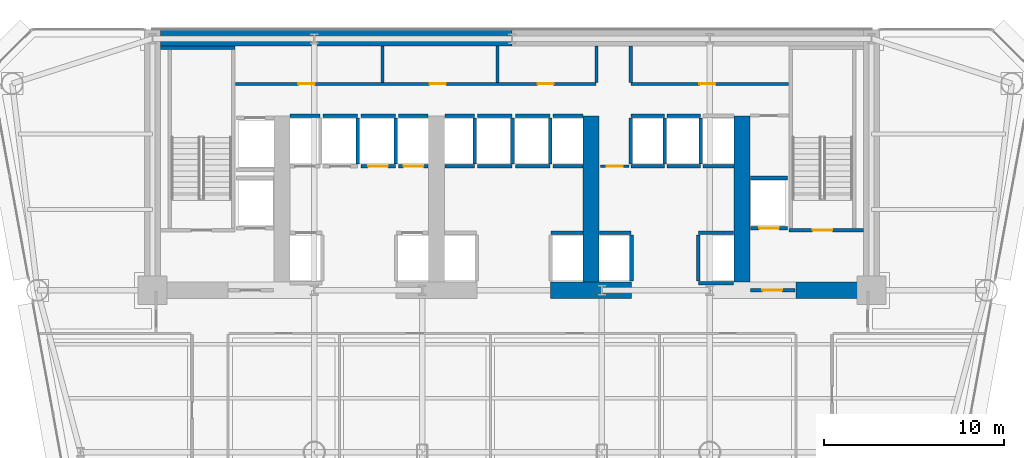
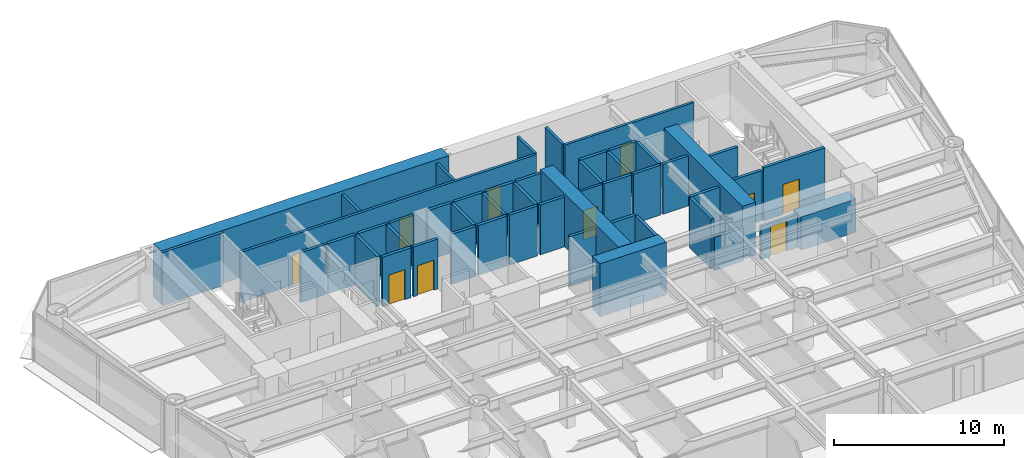
# One storey, part 9 of 14: 50 walls, 10 doors, 10 openings.
"""IFC4 building model written with IfcOpenShell, lengths in metres."""

from ifc_helpers import new_model, si_unit, direction, frame, frame_2d, origin, place, context, subcontext, project, spatial, rectangle, extrude, source, transform, mapped, material, layer, layer_set, type_object, element, fill, save


model = new_model("IFC4")

# Units and contexts
model_context = context("Model", 3, precision=1e-05, world=origin(), true_north=direction((0.0, 1.0)))
body_context = subcontext(model_context, "Body", "Model", "MODEL_VIEW")
ifc_project = project(units=[si_unit("LENGTHUNIT", "METRE"), si_unit("AREAUNIT", "SQUARE_METRE"), si_unit("VOLUMEUNIT", "CUBIC_METRE"), si_unit("PLANEANGLEUNIT", "RADIAN"), si_unit("MASSUNIT", "GRAM", prefix="KILO")], contexts=[model_context])

# Site, building, storey
site_placement = place(None, origin())
site = spatial("IfcSite", under=ifc_project, at=site_placement, CompositionType="ELEMENT")
building_placement = place(site_placement, origin())
building = spatial("IfcBuilding", under=site, at=building_placement, Name="Vaeldorn Concourse Tower", CompositionType="ELEMENT")
storey_placement = place(building_placement, frame((0.0, 0.0, 56.800048828125)))
storey = spatial("IfcBuildingStorey", under=building, at=storey_placement, Name="L14", CompositionType="ELEMENT", Elevation=56.800048828125)

# Walls
ifc_material_1 = material(Name="Concrete C60/75", Category="concrete")
ifc_layer_1 = layer(ifc_material_1, 0.89990234375)
ifc_layer_set_1 = layer_set([ifc_layer_1], Name="Concrete C60/75")
wall_type_1 = type_object("IfcWallType", Name="WL-CORE-900", PredefinedType="SHEAR", material=ifc_layer_set_1)
wall_1_placement = place(storey_placement, frame((14.4541015625, 50.550048828125, 0.0), z_axis=(0.0, 0.0, 1.0), x_axis=(1.0, 0.0, 0.0)))
element("IfcWall", 1, at=wall_1_placement, inside=storey, type_object=wall_type_1, Name="Rear Core Shear Wall L14 N1", PredefinedType="SHEAR", context=body_context, shape_type="SweptSolid", body=[
    extrude(rectangle(XDim=19.5439453125, YDim=0.89990234375, at=frame_2d((9.77197265625, 0.0))), origin(), (0.0, 0.0, 1.0), 3.800048828125),
])
wall_2_placement = place(storey_placement, frame((36.14990234375, 36.5, 0.0), z_axis=(0.0, 0.0, 1.0), x_axis=(1.0, 0.0, 0.0)))
element("IfcWall", 2, at=wall_2_placement, inside=storey, type_object=wall_type_1, Name="Rear Core Shear Wall L14 S3", PredefinedType="SHEAR", context=body_context, shape_type="SweptSolid", body=[
    extrude(rectangle(XDim=4.5, YDim=0.89990234375, at=frame_2d((2.25, 0.0))), origin(), (0.0, 0.0, 1.0), 3.800048828125),
])
wall_3_placement = place(storey_placement, frame((49.800048828125, 36.5, 0.0), z_axis=(0.0, 0.0, 1.0), x_axis=(1.0, 0.0, 0.0)))
element("IfcWall", 3, at=wall_3_placement, inside=storey, type_object=wall_type_1, Name="Rear Core Shear Wall L14 S4", PredefinedType="SHEAR", context=body_context, shape_type="SweptSolid", body=[
    extrude(rectangle(XDim=3.72998046875, YDim=0.89990234375, at=frame_2d((1.864990234375, 0.0))), origin(), (0.0, 0.0, 1.0), 2.3798828125),
])
for number, where, z_axis, x_axis, name in (
    (4, (38.39990234375, 36.969970703125, 0.0), (0.0, 0.0, 1.0), (0.0, 1.0, 0.0), "Rear Core Shear Wall L14 M3"),
    (5, (46.800048828125, 36.969970703125, 0.0), (0.0, 0.0, 1.0), (0.0, 1.0, 0.0), "Rear Core Shear Wall L14 M4"),
):
    element("IfcWall", number, at=place(storey_placement, frame(where, z_axis=z_axis, x_axis=x_axis)), inside=storey, type_object=wall_type_1, Name=name, PredefinedType="SHEAR", context=body_context, shape_type="SweptSolid", body=[
        extrude(rectangle(XDim=9.22998046875, YDim=0.89990234375, at=frame_2d((4.614990234375, 0.0))), origin(), (0.0, 0.0, 1.0), 3.800048828125),
    ])

# Wall, opening, door
ifc_material_2 = material(Name="Gypsum Board Partition", Category="gypsum")
ifc_layer_2 = layer(ifc_material_2, 0.14990234375)
ifc_layer_set_2 = layer_set([ifc_layer_2], Name="Gypsum Board Partition")
wall_type_2 = type_object("IfcWallType", Name="WL-PART-150", PredefinedType="PARTITIONING", material=ifc_layer_set_2)
wall_4_placement = place(storey_placement, frame((38.919921875, 43.39990234375, 0.0), z_axis=(0.0, 0.0, 1.0), x_axis=(1.0, 0.0, 0.0)))
wall_4 = element("IfcWall", 6, at=wall_4_placement, inside=storey, type_object=wall_type_2, Name="Interior Wall CW-L14-CCLINK", PredefinedType="PARTITIONING", context=body_context, shape_type="SweptSolid", body=[
    extrude(rectangle(XDim=1.60009765625, YDim=0.14990234375, at=frame_2d((0.800048828125, 0.0))), origin(), (0.0, 0.0, 1.0), 3.579833984375),
])
opening_1_placement = place(wall_4_placement, frame((0.35009765625, 0.0, 0.0)))
opening_1 = element("IfcOpeningElement", 7, at=opening_1_placement, cuts=wall_4, Name="Opening D-02", PredefinedType="OPENING", context=body_context, shape_type="SweptSolid", body=[
    extrude(rectangle(XDim=0.89990234375, YDim=2.10009765625, at=frame_2d((0.449951171875, 1.050048828125))), frame((0.0, 0.0849609375, 0.0), z_axis=(0.0, -1.0, 0.0), x_axis=(1.0, 0.0, 0.0)), (0.0, 0.0, 1.0), 0.169921875),
])
ifc_material_3 = material(Name="Fire-Rated Timber Leaf", Category="wood")
door_type_1 = type_object("IfcDoorType", Name="DR-FD30-900", OperationType="NOTDEFINED", PredefinedType="DOOR", material=ifc_material_3)
shared_shape_1 = source(origin(), body_context, "Body", "SweptSolid", [
    extrude(rectangle(XDim=0.89990234375, YDim=2.10009765625, at=frame_2d((0.449951171875, 1.050048828125))), frame((0.0, 0.02490234375, 0.0), z_axis=(0.0, -1.0, 0.0), x_axis=(1.0, 0.0, 0.0)), (0.0, 0.0, 1.0), 0.050048828125),
])
door_1_placement = place(opening_1_placement, origin())
door_1 = element("IfcDoor", 8, at=door_1_placement, inside=storey, type_object=door_type_1, Name="Interior Door DR-L14-CCLINK", OperationType="SINGLE_SWING_LEFT", OverallHeight=2.10009765625, OverallWidth=0.89990234375, PredefinedType="DOOR", context=body_context, shape_type="MappedRepresentation", body=[
    mapped(shared_shape_1, transform((0.0, 0.0, 0.0), scale=1.0)),
])
fill(opening_1, door_1)

# Wall, openings, doors
ifc_layer_3 = layer(ifc_material_2, 0.179931640625)
ifc_layer_set_3 = layer_set([ifc_layer_3], Name="Gypsum Board Partition")
wall_type_3 = type_object("IfcWallType", Name="WL-PLUMB-180", PredefinedType="PLUMBINGWALL", material=ifc_layer_set_3)
wall_5_placement = place(storey_placement, frame((18.6201171875, 47.97998046875, 0.0), z_axis=(0.0, 0.0, 1.0), x_axis=(1.0, 0.0, 0.0)))
wall_5 = element("IfcWall", 9, at=wall_5_placement, inside=storey, type_object=wall_type_3, Name="Interior Wall CW-L14-NS1W", PredefinedType="PLUMBINGWALL", context=body_context, shape_type="SweptSolid", body=[
    extrude(rectangle(XDim=20.059814453125, YDim=0.179931640625, at=frame_2d((10.02978515625, 0.0))), origin(), (0.0, 0.0, 1.0), 3.579833984375),
])
opening_2_placement = place(wall_5_placement, frame((3.5, 0.0, 0.0)))
opening_2 = element("IfcOpeningElement", 10, at=opening_2_placement, cuts=wall_5, Name="Opening D-03", PredefinedType="OPENING", context=body_context, shape_type="SweptSolid", body=[
    extrude(rectangle(XDim=0.89990234375, YDim=2.14990234375, at=frame_2d((0.449951171875, 1.074951171875))), frame((0.0, 0.10009765625, 0.0), z_axis=(0.0, -1.0, 0.0), x_axis=(1.0, 0.0, 0.0)), (0.0, 0.0, 1.0), 0.199951171875),
])
opening_3_placement = place(wall_5_placement, frame((10.800048828125, 0.0, 0.0)))
opening_3 = element("IfcOpeningElement", 11, at=opening_3_placement, cuts=wall_5, Name="Opening D-03", PredefinedType="OPENING", context=body_context, shape_type="SweptSolid", body=[
    extrude(rectangle(XDim=0.89990234375, YDim=2.14990234375, at=frame_2d((0.449951171875, 1.074951171875))), frame((0.0, 0.10009765625, 0.0), z_axis=(0.0, -1.0, 0.0), x_axis=(1.0, 0.0, 0.0)), (0.0, 0.0, 1.0), 0.199951171875),
])
opening_4_placement = place(wall_5_placement, frame((16.800048828125, 0.0, 0.0)))
opening_4 = element("IfcOpeningElement", 12, at=opening_4_placement, cuts=wall_5, Name="Opening D-03", PredefinedType="OPENING", context=body_context, shape_type="SweptSolid", body=[
    extrude(rectangle(XDim=0.89990234375, YDim=2.14990234375, at=frame_2d((0.449951171875, 1.074951171875))), frame((0.0, 0.10009765625, 0.0), z_axis=(0.0, -1.0, 0.0), x_axis=(1.0, 0.0, 0.0)), (0.0, 0.0, 1.0), 0.199951171875),
])
ifc_material_4 = material(Name="Acoustic Bronze-Framed Glass Door", Category="glass")
door_type_2 = type_object("IfcDoorType", Name="DR-INT-900", OperationType="NOTDEFINED", PredefinedType="DOOR", material=ifc_material_4)
shared_shape_2 = source(origin(), body_context, "Body", "SweptSolid", [
    extrude(rectangle(XDim=0.89990234375, YDim=2.14990234375, at=frame_2d((0.449951171875, 1.074951171875))), frame((0.0, 0.02490234375, 0.0), z_axis=(0.0, -1.0, 0.0), x_axis=(1.0, 0.0, 0.0)), (0.0, 0.0, 1.0), 0.050048828125),
])
door_2_placement = place(opening_2_placement, origin())
door_2 = element("IfcDoor", 13, at=door_2_placement, inside=storey, type_object=door_type_2, Name="Interior Door DR-L14-CS1", OperationType="SINGLE_SWING_LEFT", OverallHeight=2.14990234375, OverallWidth=0.89990234375, PredefinedType="DOOR", context=body_context, shape_type="MappedRepresentation", body=[
    mapped(shared_shape_2, transform((0.0, 0.0, 0.0), scale=1.0)),
])
fill(opening_2, door_2)
door_3_placement = place(opening_3_placement, origin())
door_3 = element("IfcDoor", 14, at=door_3_placement, inside=storey, type_object=door_type_2, Name="Interior Door DR-L14-CS2", OperationType="SINGLE_SWING_RIGHT", OverallHeight=2.14990234375, OverallWidth=0.89990234375, PredefinedType="DOOR", context=body_context, shape_type="MappedRepresentation", body=[
    mapped(shared_shape_2, transform((0.0, 0.0, 0.0), scale=1.0)),
])
fill(opening_3, door_3)
door_4_placement = place(opening_4_placement, origin())
door_4 = element("IfcDoor", 15, at=door_4_placement, inside=storey, type_object=door_type_2, Name="Interior Door DR-L14-CS3", OperationType="SINGLE_SWING_LEFT", OverallHeight=2.14990234375, OverallWidth=0.89990234375, PredefinedType="DOOR", context=body_context, shape_type="MappedRepresentation", body=[
    mapped(shared_shape_2, transform((0.0, 0.0, 0.0), scale=1.0)),
])
fill(opening_4, door_4)

# Wall, opening, door
wall_6_placement = place(storey_placement, frame((40.6201171875, 47.97998046875, 0.0), z_axis=(0.0, 0.0, 1.0), x_axis=(1.0, 0.0, 0.0)))
wall_6 = element("IfcWall", 16, at=wall_6_placement, inside=storey, type_object=wall_type_3, Name="Interior Wall CW-L14-NS1E", PredefinedType="PLUMBINGWALL", context=body_context, shape_type="SweptSolid", body=[
    extrude(rectangle(XDim=8.759765625, YDim=0.179931640625, at=frame_2d((4.3798828125, 0.0))), origin(), (0.0, 0.0, 1.0), 3.579833984375),
])
opening_5_placement = place(wall_6_placement, frame((3.800048828125, 0.0, 0.0)))
opening_5 = element("IfcOpeningElement", 17, at=opening_5_placement, cuts=wall_6, Name="Opening D-03", PredefinedType="OPENING", context=body_context, shape_type="SweptSolid", body=[
    extrude(rectangle(XDim=0.89990234375, YDim=2.14990234375, at=frame_2d((0.449951171875, 1.074951171875))), frame((0.0, 0.10009765625, 0.0), z_axis=(0.0, -1.0, 0.0), x_axis=(1.0, 0.0, 0.0)), (0.0, 0.0, 1.0), 0.199951171875),
])
door_5_placement = place(opening_5_placement, origin())
door_5 = element("IfcDoor", 18, at=door_5_placement, inside=storey, type_object=door_type_2, Name="Interior Door DR-L14-CS4", OperationType="SINGLE_SWING_RIGHT", OverallHeight=2.14990234375, OverallWidth=0.89990234375, PredefinedType="DOOR", context=body_context, shape_type="MappedRepresentation", body=[
    mapped(shared_shape_2, transform((0.0, 0.0, 0.0), scale=1.0)),
])
fill(opening_5, door_5)

# Walls
for number, where, z_axis, x_axis, name in (
    (19, (26.800048828125, 48.06005859375, 0.0), (0.0, 0.0, 1.0), (0.0, 1.0, 0.0), "Interior Wall CW-L14-NDIV1"),
    (20, (33.199951171875, 48.06005859375, 0.0), (0.0, 0.0, 1.0), (0.0, 1.0, 0.0), "Interior Wall CW-L14-NDIV2"),
    (21, (38.699951171875, 48.06005859375, 0.0), (0.0, 0.0, 1.0), (0.0, 1.0, 0.0), "Interior Wall CW-L14-NDIV3"),
    (22, (40.60009765625, 48.06005859375, 0.0), (0.0, 0.0, 1.0), (0.0, 1.0, 0.0), "Interior Wall CW-L14-NDIV4"),
):
    element("IfcWall", number, at=place(storey_placement, frame(where, z_axis=z_axis, x_axis=x_axis)), inside=storey, type_object=wall_type_3, Name=name, PredefinedType="PLUMBINGWALL", context=body_context, shape_type="SweptSolid", body=[
        extrude(rectangle(XDim=2.02001953125, YDim=0.179931640625, at=frame_2d((1.010009765625, 0.0))), origin(), (0.0, 0.0, 1.0), 3.579833984375),
    ])
ifc_material_5 = material(Name="Concrete C50/60", Category="concrete")
ifc_layer_4 = layer(ifc_material_5, 0.199951171875)
ifc_layer_set_4 = layer_set([ifc_layer_4], Name="Concrete C50/60")
wall_type_4 = type_object("IfcWallType", Name="WL-SHAFT-200", PredefinedType="SOLIDWALL", material=ifc_layer_set_4)
wall_7_placement = place(storey_placement, frame((14.449951171875, 50.0, 0.0), z_axis=(0.0, 0.0, 1.0), x_axis=(1.0, 0.0, 0.0)))
element("IfcWall", 23, at=wall_7_placement, inside=storey, type_object=wall_type_4, Name="Stair Shaft Wall CW-L14-ST-1-N", PredefinedType="SOLIDWALL", context=body_context, shape_type="SweptSolid", body=[
    extrude(rectangle(XDim=4.150146484375, YDim=0.199951171875, at=frame_2d((2.0751953125, 0.0))), origin(), (0.0, 0.0, 1.0), 3.800048828125),
])

# Wall, opening, door
wall_8_placement = place(storey_placement, frame((49.39990234375, 39.85009765625, 0.0), z_axis=(0.0, 0.0, 1.0), x_axis=(1.0, 0.0, 0.0)))
wall_8 = element("IfcWall", 24, at=wall_8_placement, inside=storey, type_object=wall_type_4, Name="Stair Shaft Wall CW-L14-ST-2-S", PredefinedType="SOLIDWALL", context=body_context, shape_type="SweptSolid", body=[
    extrude(rectangle(XDim=4.150146484375, YDim=0.199951171875, at=frame_2d((2.0751953125, 0.0))), origin(), (0.0, 0.0, 1.0), 3.800048828125),
])
opening_6_placement = place(wall_8_placement, frame((1.324951171875, 0.0, 0.0)))
opening_6 = element("IfcOpeningElement", 25, at=opening_6_placement, cuts=wall_8, Name="Opening D-01", PredefinedType="OPENING", context=body_context, shape_type="SweptSolid", body=[
    extrude(rectangle(XDim=1.10009765625, YDim=2.14990234375, at=frame_2d((0.550048828125, 1.074951171875))), frame((0.0, 0.10986328125, 0.0), z_axis=(0.0, -1.0, 0.0), x_axis=(1.0, 0.0, 0.0)), (0.0, 0.0, 1.0), 0.219970703125),
])
ifc_material_6 = material(Name="Fire-Rated Timber and Steel Leaf", Category="steel")
door_type_3 = type_object("IfcDoorType", Name="DR-FD60-1100", OperationType="NOTDEFINED", PredefinedType="DOOR", material=ifc_material_6)
shared_shape_3 = source(origin(), body_context, "Body", "SweptSolid", [
    extrude(rectangle(XDim=1.10009765625, YDim=2.14990234375, at=frame_2d((0.550048828125, 1.074951171875))), frame((0.0, 0.02490234375, 0.0), z_axis=(0.0, -1.0, 0.0), x_axis=(1.0, 0.0, 0.0)), (0.0, 0.0, 1.0), 0.050048828125),
])
door_6_placement = place(opening_6_placement, origin())
door_6 = element("IfcDoor", 26, at=door_6_placement, inside=storey, type_object=door_type_3, Name="Interior Door DR-L14-ST-2", OperationType="SINGLE_SWING_RIGHT", OverallHeight=2.14990234375, OverallWidth=1.10009765625, PredefinedType="DOOR", context=body_context, shape_type="MappedRepresentation", body=[
    mapped(shared_shape_3, transform((0.0, 0.0, 0.0), scale=1.0)),
])
fill(opening_6, door_6)

wall_9_placement = place(storey_placement, frame((47.280029296875, 36.5, 0.0), z_axis=(0.0, 0.0, 1.0), x_axis=(1.0, 0.0, 0.0)))
wall_9 = element("IfcWall", 27, at=wall_9_placement, inside=storey, type_object=wall_type_4, Name="Interior Wall CW-L14-FF2S", PredefinedType="SOLIDWALL", context=body_context, shape_type="SweptSolid", body=[
    extrude(rectangle(XDim=2.469970703125, YDim=0.199951171875, at=frame_2d((1.23486328125, 0.0))), origin(), (0.0, 0.0, 1.0), 2.369873046875),
])
opening_7_placement = place(wall_9_placement, frame((0.64990234375, 0.0, 0.0)))
opening_7 = element("IfcOpeningElement", 28, at=opening_7_placement, cuts=wall_9, Name="Opening D-01", PredefinedType="OPENING", context=body_context, shape_type="SweptSolid", body=[
    extrude(rectangle(XDim=1.10009765625, YDim=2.14990234375, at=frame_2d((0.550048828125, 1.074951171875))), frame((0.0, 0.10986328125, 0.0), z_axis=(0.0, -1.0, 0.0), x_axis=(1.0, 0.0, 0.0)), (0.0, 0.0, 1.0), 0.219970703125),
])
door_7_placement = place(opening_7_placement, origin())
door_7 = element("IfcDoor", 29, at=door_7_placement, inside=storey, type_object=door_type_3, Name="Interior Door DR-L14-FF2W", OperationType="SINGLE_SWING_LEFT", OverallHeight=2.14990234375, OverallWidth=1.10009765625, PredefinedType="DOOR", context=body_context, shape_type="MappedRepresentation", body=[
    mapped(shared_shape_3, transform((0.0, 0.0, 0.0), scale=1.0)),
])
fill(opening_7, door_7)

# Walls
wall_10_placement = place(storey_placement, frame((21.659912109375, 46.199951171875, 0.0), z_axis=(0.0, 0.0, 1.0), x_axis=(1.0, 0.0, 0.0)))
element("IfcWall", 30, at=wall_10_placement, inside=storey, type_object=wall_type_4, Name="Interior Wall CW-L14-LFB-LF-03", PredefinedType="SOLIDWALL", context=body_context, shape_type="SweptSolid", body=[
    extrude(rectangle(XDim=1.650146484375, YDim=0.199951171875, at=frame_2d((0.8251953125, 0.0))), origin(), (0.0, 0.0, 1.0), 3.579833984375),
])
wall_11_placement = place(storey_placement, frame((23.489990234375, 46.199951171875, 0.0), z_axis=(0.0, 0.0, 1.0), x_axis=(1.0, 0.0, 0.0)))
element("IfcWall", 31, at=wall_11_placement, inside=storey, type_object=wall_type_4, Name="Interior Wall CW-L14-LFB-LF-04", PredefinedType="SOLIDWALL", context=body_context, shape_type="SweptSolid", body=[
    extrude(rectangle(XDim=1.919921875, YDim=0.199951171875, at=frame_2d((0.9599609375, 0.0))), origin(), (0.0, 0.0, 1.0), 3.579833984375),
])
wall_12_placement = place(storey_placement, frame((25.429931640625, 43.52001953125, 0.0), z_axis=(0.0, 0.0, 1.0), x_axis=(0.0, 1.0, 0.0)))
element("IfcWall", 32, at=wall_12_placement, inside=storey, type_object=wall_type_4, Name="Interior Wall CW-L14-LFE-LF-04", PredefinedType="SOLIDWALL", context=body_context, shape_type="SweptSolid", body=[
    extrude(rectangle(XDim=2.56005859375, YDim=0.199951171875, at=frame_2d((1.280029296875, 0.0))), origin(), (0.0, 0.0, 1.0), 3.579833984375),
])

# Wall, opening, door
wall_13_placement = place(storey_placement, frame((25.590087890625, 43.39990234375, 0.0), z_axis=(0.0, 0.0, 1.0), x_axis=(1.0, 0.0, 0.0)))
wall_13 = element("IfcWall", 33, at=wall_13_placement, inside=storey, type_object=wall_type_4, Name="Interior Wall CW-L14-LF-LF-05", PredefinedType="SOLIDWALL", context=body_context, shape_type="SweptSolid", body=[
    extrude(rectangle(XDim=1.919921875, YDim=0.199951171875, at=frame_2d((0.9599609375, 0.0))), origin(), (0.0, 0.0, 1.0), 3.579833984375),
])
opening_8_placement = place(wall_13_placement, frame((0.409912109375, 0.0, 0.0)))
opening_8 = element("IfcOpeningElement", 34, at=opening_8_placement, cuts=wall_13, Name="Opening LD-1", PredefinedType="OPENING", context=body_context, shape_type="SweptSolid", body=[
    extrude(rectangle(XDim=1.10009765625, YDim=2.14990234375, at=frame_2d((0.550048828125, 1.074951171875))), frame((0.0, 0.10986328125, 0.0), z_axis=(0.0, -1.0, 0.0), x_axis=(1.0, 0.0, 0.0)), (0.0, 0.0, 1.0), 0.219970703125),
])
ifc_material_7 = material(Name="Anodised Bronze Aluminium", Category="aluminium")
door_type_4 = type_object("IfcDoorType", Name="DR-LIFT-SLIDE-1100", OperationType="DOUBLE_DOOR_SLIDING", PredefinedType="DOOR", material=ifc_material_7)
door_8_placement = place(opening_8_placement, origin())
door_8 = element("IfcDoor", 35, at=door_8_placement, inside=storey, type_object=door_type_4, Name="Lift Landing Door LD-L14-LF-05", OperationType="DOUBLE_DOOR_SLIDING", OverallHeight=2.14990234375, OverallWidth=1.10009765625, PredefinedType="DOOR", context=body_context, shape_type="MappedRepresentation", body=[
    mapped(shared_shape_3, transform((0.0, 0.0, 0.0), scale=1.0)),
])
fill(opening_8, door_8)

# Walls
wall_14_placement = place(storey_placement, frame((25.590087890625, 46.199951171875, 0.0), z_axis=(0.0, 0.0, 1.0), x_axis=(1.0, 0.0, 0.0)))
element("IfcWall", 36, at=wall_14_placement, inside=storey, type_object=wall_type_4, Name="Interior Wall CW-L14-LFB-LF-05", PredefinedType="SOLIDWALL", context=body_context, shape_type="SweptSolid", body=[
    extrude(rectangle(XDim=1.919921875, YDim=0.199951171875, at=frame_2d((0.9599609375, 0.0))), origin(), (0.0, 0.0, 1.0), 3.579833984375),
])
wall_15_placement = place(storey_placement, frame((27.530029296875, 43.52001953125, 0.0), z_axis=(0.0, 0.0, 1.0), x_axis=(0.0, 1.0, 0.0)))
element("IfcWall", 37, at=wall_15_placement, inside=storey, type_object=wall_type_4, Name="Interior Wall CW-L14-LFE-LF-05", PredefinedType="SOLIDWALL", context=body_context, shape_type="SweptSolid", body=[
    extrude(rectangle(XDim=2.56005859375, YDim=0.199951171875, at=frame_2d((1.280029296875, 0.0))), origin(), (0.0, 0.0, 1.0), 3.579833984375),
])

# Wall, opening, door
wall_16_placement = place(storey_placement, frame((27.68994140625, 43.39990234375, 0.0), z_axis=(0.0, 0.0, 1.0), x_axis=(1.0, 0.0, 0.0)))
wall_16 = element("IfcWall", 38, at=wall_16_placement, inside=storey, type_object=wall_type_4, Name="Interior Wall CW-L14-LF-LF-06", PredefinedType="SOLIDWALL", context=body_context, shape_type="SweptSolid", body=[
    extrude(rectangle(XDim=1.650146484375, YDim=0.199951171875, at=frame_2d((0.8251953125, 0.0))), origin(), (0.0, 0.0, 1.0), 3.579833984375),
])
opening_9_placement = place(wall_16_placement, frame((0.27490234375, 0.0, 0.0)))
opening_9 = element("IfcOpeningElement", 39, at=opening_9_placement, cuts=wall_16, Name="Opening LD-1", PredefinedType="OPENING", context=body_context, shape_type="SweptSolid", body=[
    extrude(rectangle(XDim=1.10009765625, YDim=2.14990234375, at=frame_2d((0.550048828125, 1.074951171875))), frame((0.0, 0.10986328125, 0.0), z_axis=(0.0, -1.0, 0.0), x_axis=(1.0, 0.0, 0.0)), (0.0, 0.0, 1.0), 0.219970703125),
])
door_9_placement = place(opening_9_placement, origin())
door_9 = element("IfcDoor", 40, at=door_9_placement, inside=storey, type_object=door_type_4, Name="Lift Landing Door LD-L14-LF-06", OperationType="DOUBLE_DOOR_SLIDING", OverallHeight=2.14990234375, OverallWidth=1.10009765625, PredefinedType="DOOR", context=body_context, shape_type="MappedRepresentation", body=[
    mapped(shared_shape_3, transform((0.0, 0.0, 0.0), scale=1.0)),
])
fill(opening_9, door_9)

# Walls
wall_17_placement = place(storey_placement, frame((27.68994140625, 46.199951171875, 0.0), z_axis=(0.0, 0.0, 1.0), x_axis=(1.0, 0.0, 0.0)))
element("IfcWall", 41, at=wall_17_placement, inside=storey, type_object=wall_type_4, Name="Interior Wall CW-L14-LFB-LF-06", PredefinedType="SOLIDWALL", context=body_context, shape_type="SweptSolid", body=[
    extrude(rectangle(XDim=1.650146484375, YDim=0.199951171875, at=frame_2d((0.8251953125, 0.0))), origin(), (0.0, 0.0, 1.0), 3.579833984375),
])
wall_18_placement = place(storey_placement, frame((36.169921875, 39.699951171875, 0.0), z_axis=(0.0, 0.0, 1.0), x_axis=(1.0, 0.0, 0.0)))
element("IfcWall", 42, at=wall_18_placement, inside=storey, type_object=wall_type_4, Name="Interior Wall CW-L14-LF-LF-08", PredefinedType="SOLIDWALL", context=body_context, shape_type="SweptSolid", body=[
    extrude(rectangle(XDim=1.77001953125, YDim=0.199951171875, at=frame_2d((0.885009765625, 0.0))), origin(), (0.0, 0.0, 1.0), 3.579833984375),
])
for number, where, z_axis, x_axis, name in (
    (43, (30.260009765625, 43.39990234375, 0.0), (0.0, 0.0, 1.0), (1.0, 0.0, 0.0), "Interior Wall CW-L14-LF-LF-09"),
    (44, (30.260009765625, 46.199951171875, 0.0), (0.0, 0.0, 1.0), (1.0, 0.0, 0.0), "Interior Wall CW-L14-LFB-LF-09"),
):
    element("IfcWall", number, at=place(storey_placement, frame(where, z_axis=z_axis, x_axis=x_axis)), inside=storey, type_object=wall_type_4, Name=name, PredefinedType="SOLIDWALL", context=body_context, shape_type="SweptSolid", body=[
        extrude(rectangle(XDim=1.64990234375, YDim=0.199951171875, at=frame_2d((0.824951171875, 0.0))), origin(), (0.0, 0.0, 1.0), 3.579833984375),
    ])
wall_19_placement = place(storey_placement, frame((31.929931640625, 43.52001953125, 0.0), z_axis=(0.0, 0.0, 1.0), x_axis=(0.0, 1.0, 0.0)))
element("IfcWall", 45, at=wall_19_placement, inside=storey, type_object=wall_type_4, Name="Interior Wall CW-L14-LFE-LF-09", PredefinedType="SOLIDWALL", context=body_context, shape_type="SweptSolid", body=[
    extrude(rectangle(XDim=2.56005859375, YDim=0.199951171875, at=frame_2d((1.280029296875, 0.0))), origin(), (0.0, 0.0, 1.0), 3.579833984375),
])
for number, where, z_axis, x_axis, name in (
    (46, (32.090087890625, 43.39990234375, 0.0), (0.0, 0.0, 1.0), (1.0, 0.0, 0.0), "Interior Wall CW-L14-LF-LF-10"),
    (47, (32.090087890625, 46.199951171875, 0.0), (0.0, 0.0, 1.0), (1.0, 0.0, 0.0), "Interior Wall CW-L14-LFB-LF-10"),
):
    element("IfcWall", number, at=place(storey_placement, frame(where, z_axis=z_axis, x_axis=x_axis)), inside=storey, type_object=wall_type_4, Name=name, PredefinedType="SOLIDWALL", context=body_context, shape_type="SweptSolid", body=[
        extrude(rectangle(XDim=1.919921875, YDim=0.199951171875, at=frame_2d((0.9599609375, 0.0))), origin(), (0.0, 0.0, 1.0), 3.579833984375),
    ])
wall_20_placement = place(storey_placement, frame((34.030029296875, 43.52001953125, 0.0), z_axis=(0.0, 0.0, 1.0), x_axis=(0.0, 1.0, 0.0)))
element("IfcWall", 48, at=wall_20_placement, inside=storey, type_object=wall_type_4, Name="Interior Wall CW-L14-LFE-LF-10", PredefinedType="SOLIDWALL", context=body_context, shape_type="SweptSolid", body=[
    extrude(rectangle(XDim=2.56005859375, YDim=0.199951171875, at=frame_2d((1.280029296875, 0.0))), origin(), (0.0, 0.0, 1.0), 3.579833984375),
])
for number, where, z_axis, x_axis, name in (
    (49, (34.18994140625, 43.39990234375, 0.0), (0.0, 0.0, 1.0), (1.0, 0.0, 0.0), "Interior Wall CW-L14-LF-LF-11"),
    (50, (34.18994140625, 46.199951171875, 0.0), (0.0, 0.0, 1.0), (1.0, 0.0, 0.0), "Interior Wall CW-L14-LFB-LF-11"),
):
    element("IfcWall", number, at=place(storey_placement, frame(where, z_axis=z_axis, x_axis=x_axis)), inside=storey, type_object=wall_type_4, Name=name, PredefinedType="SOLIDWALL", context=body_context, shape_type="SweptSolid", body=[
        extrude(rectangle(XDim=1.920166015625, YDim=0.199951171875, at=frame_2d((0.9599609375, 0.0))), origin(), (0.0, 0.0, 1.0), 3.579833984375),
    ])
wall_21_placement = place(storey_placement, frame((36.1298828125, 43.52001953125, 0.0), z_axis=(0.0, 0.0, 1.0), x_axis=(0.0, 1.0, 0.0)))
element("IfcWall", 51, at=wall_21_placement, inside=storey, type_object=wall_type_4, Name="Interior Wall CW-L14-LFE-LF-11", PredefinedType="SOLIDWALL", context=body_context, shape_type="SweptSolid", body=[
    extrude(rectangle(XDim=2.56005859375, YDim=0.199951171875, at=frame_2d((1.280029296875, 0.0))), origin(), (0.0, 0.0, 1.0), 3.579833984375),
])
for number, where, z_axis, x_axis, name in (
    (52, (36.2900390625, 43.39990234375, 0.0), (0.0, 0.0, 1.0), (1.0, 0.0, 0.0), "Interior Wall CW-L14-LF-LF-12"),
    (53, (36.2900390625, 46.199951171875, 0.0), (0.0, 0.0, 1.0), (1.0, 0.0, 0.0), "Interior Wall CW-L14-LFB-LF-12"),
):
    element("IfcWall", number, at=place(storey_placement, frame(where, z_axis=z_axis, x_axis=x_axis)), inside=storey, type_object=wall_type_4, Name=name, PredefinedType="SOLIDWALL", context=body_context, shape_type="SweptSolid", body=[
        extrude(rectangle(XDim=1.64990234375, YDim=0.199951171875, at=frame_2d((0.824951171875, 0.0))), origin(), (0.0, 0.0, 1.0), 3.579833984375),
    ])
wall_22_placement = place(storey_placement, frame((38.860107421875, 39.699951171875, 0.0), z_axis=(0.0, 0.0, 1.0), x_axis=(1.0, 0.0, 0.0)))
element("IfcWall", 54, at=wall_22_placement, inside=storey, type_object=wall_type_4, Name="Interior Wall CW-L14-LF-LF-13", PredefinedType="SOLIDWALL", context=body_context, shape_type="SweptSolid", body=[
    extrude(rectangle(XDim=1.769775390625, YDim=0.199951171875, at=frame_2d((0.884765625, 0.0))), origin(), (0.0, 0.0, 1.0), 3.579833984375),
])
wall_23_placement = place(storey_placement, frame((40.64990234375, 37.02001953125, 0.0), z_axis=(0.0, 0.0, 1.0), x_axis=(0.0, 1.0, 0.0)))
element("IfcWall", 55, at=wall_23_placement, inside=storey, type_object=wall_type_4, Name="Interior Wall CW-L14-LFE-LF-13", PredefinedType="SOLIDWALL", context=body_context, shape_type="SweptSolid", body=[
    extrude(rectangle(XDim=2.56005859375, YDim=0.199951171875, at=frame_2d((1.280029296875, 0.0))), origin(), (0.0, 0.0, 1.0), 3.579833984375),
])
wall_24_placement = place(storey_placement, frame((44.3701171875, 39.699951171875, 0.0), z_axis=(0.0, 0.0, 1.0), x_axis=(1.0, 0.0, 0.0)))
element("IfcWall", 56, at=wall_24_placement, inside=storey, type_object=wall_type_4, Name="Interior Wall CW-L14-LF-LF-14", PredefinedType="SOLIDWALL", context=body_context, shape_type="SweptSolid", body=[
    extrude(rectangle(XDim=1.9599609375, YDim=0.199951171875, at=frame_2d((0.97998046875, 0.0))), origin(), (0.0, 0.0, 1.0), 3.579833984375),
])
wall_25_placement = place(storey_placement, frame((44.3701171875, 36.89990234375, 0.0), z_axis=(0.0, 0.0, 1.0), x_axis=(1.0, 0.0, 0.0)))
element("IfcWall", 57, at=wall_25_placement, inside=storey, type_object=wall_type_4, Name="Interior Wall CW-L14-LFB-LF-14", PredefinedType="SOLIDWALL", context=body_context, shape_type="SweptSolid", body=[
    extrude(rectangle(XDim=1.9599609375, YDim=0.199951171875, at=frame_2d((0.97998046875, 0.0))), origin(), (0.0, 0.0, 1.0), 2.369873046875),
])
wall_26_placement = place(storey_placement, frame((44.35009765625, 37.02001953125, 0.0), z_axis=(0.0, 0.0, 1.0), x_axis=(0.0, 1.0, 0.0)))
element("IfcWall", 58, at=wall_26_placement, inside=storey, type_object=wall_type_4, Name="Interior Wall CW-L14-LFW-LF-14", PredefinedType="SOLIDWALL", context=body_context, shape_type="SweptSolid", body=[
    extrude(rectangle(XDim=2.56005859375, YDim=0.199951171875, at=frame_2d((1.280029296875, 0.0))), origin(), (0.0, 0.0, 1.0), 3.579833984375),
])
for number, where, z_axis, x_axis, name in (
    (59, (40.6201171875, 43.39990234375, 0.0), (0.0, 0.0, 1.0), (1.0, 0.0, 0.0), "Interior Wall CW-L14-LF-LF-15"),
    (60, (40.6201171875, 46.199951171875, 0.0), (0.0, 0.0, 1.0), (1.0, 0.0, 0.0), "Interior Wall CW-L14-LFB-LF-15"),
):
    element("IfcWall", number, at=place(storey_placement, frame(where, z_axis=z_axis, x_axis=x_axis)), inside=storey, type_object=wall_type_4, Name=name, PredefinedType="SOLIDWALL", context=body_context, shape_type="SweptSolid", body=[
        extrude(rectangle(XDim=1.85986328125, YDim=0.199951171875, at=frame_2d((0.929931640625, 0.0))), origin(), (0.0, 0.0, 1.0), 3.579833984375),
    ])
for number, where, z_axis, x_axis, name in (
    (61, (40.60009765625, 43.52001953125, 0.0), (0.0, 0.0, 1.0), (0.0, 1.0, 0.0), "Interior Wall CW-L14-LFW-LF-15"),
    (62, (42.5, 43.52001953125, 0.0), (0.0, 0.0, 1.0), (0.0, 1.0, 0.0), "Interior Wall CW-L14-LFE-LF-15"),
):
    element("IfcWall", number, at=place(storey_placement, frame(where, z_axis=z_axis, x_axis=x_axis)), inside=storey, type_object=wall_type_4, Name=name, PredefinedType="SOLIDWALL", context=body_context, shape_type="SweptSolid", body=[
        extrude(rectangle(XDim=2.56005859375, YDim=0.199951171875, at=frame_2d((1.280029296875, 0.0))), origin(), (0.0, 0.0, 1.0), 3.579833984375),
    ])
for number, where, z_axis, x_axis, name in (
    (63, (42.6201171875, 43.39990234375, 0.0), (0.0, 0.0, 1.0), (1.0, 0.0, 0.0), "Interior Wall CW-L14-LF-LF-16"),
    (64, (42.6201171875, 46.199951171875, 0.0), (0.0, 0.0, 1.0), (1.0, 0.0, 0.0), "Interior Wall CW-L14-LFB-LF-16"),
):
    element("IfcWall", number, at=place(storey_placement, frame(where, z_axis=z_axis, x_axis=x_axis)), inside=storey, type_object=wall_type_4, Name=name, PredefinedType="SOLIDWALL", context=body_context, shape_type="SweptSolid", body=[
        extrude(rectangle(XDim=1.85986328125, YDim=0.199951171875, at=frame_2d((0.929931640625, 0.0))), origin(), (0.0, 0.0, 1.0), 3.579833984375),
    ])
wall_27_placement = place(storey_placement, frame((44.5, 43.52001953125, 0.0), z_axis=(0.0, 0.0, 1.0), x_axis=(0.0, 1.0, 0.0)))
element("IfcWall", 65, at=wall_27_placement, inside=storey, type_object=wall_type_4, Name="Interior Wall CW-L14-LFE-LF-16", PredefinedType="SOLIDWALL", context=body_context, shape_type="SweptSolid", body=[
    extrude(rectangle(XDim=2.56005859375, YDim=0.199951171875, at=frame_2d((1.280029296875, 0.0))), origin(), (0.0, 0.0, 1.0), 3.579833984375),
])
wall_28_placement = place(storey_placement, frame((44.6201171875, 43.39990234375, 0.0), z_axis=(0.0, 0.0, 1.0), x_axis=(1.0, 0.0, 0.0)))
element("IfcWall", 66, at=wall_28_placement, inside=storey, type_object=wall_type_4, Name="Interior Wall CW-L14-LF-LF-17", PredefinedType="SOLIDWALL", context=body_context, shape_type="SweptSolid", body=[
    extrude(rectangle(XDim=1.719970703125, YDim=0.199951171875, at=frame_2d((0.85986328125, 0.0))), origin(), (0.0, 0.0, 1.0), 3.579833984375),
])

# Wall, opening, door
wall_29_placement = place(storey_placement, frame((47.260009765625, 39.949951171875, 0.0), z_axis=(0.0, 0.0, 1.0), x_axis=(1.0, 0.0, 0.0)))
wall_29 = element("IfcWall", 67, at=wall_29_placement, inside=storey, type_object=wall_type_4, Name="Interior Wall CW-L14-LF-LF-FF2", PredefinedType="SOLIDWALL", context=body_context, shape_type="SweptSolid", body=[
    extrude(rectangle(XDim=2.070068359375, YDim=0.199951171875, at=frame_2d((1.03515625, 0.0))), origin(), (0.0, 0.0, 1.0), 3.579833984375),
])
opening_10_placement = place(wall_29_placement, frame((0.485107421875, 0.0, 0.0)))
opening_10 = element("IfcOpeningElement", 68, at=opening_10_placement, cuts=wall_29, Name="Opening LD-1", PredefinedType="OPENING", context=body_context, shape_type="SweptSolid", body=[
    extrude(rectangle(XDim=1.10009765625, YDim=2.14990234375, at=frame_2d((0.550048828125, 1.074951171875))), frame((0.0, 0.10986328125, 0.0), z_axis=(0.0, -1.0, 0.0), x_axis=(1.0, 0.0, 0.0)), (0.0, 0.0, 1.0), 0.219970703125),
])
door_10_placement = place(opening_10_placement, origin())
door_10 = element("IfcDoor", 69, at=door_10_placement, inside=storey, type_object=door_type_4, Name="Lift Landing Door LD-L14-LF-FF2", OperationType="DOUBLE_DOOR_SLIDING", OverallHeight=2.14990234375, OverallWidth=1.10009765625, PredefinedType="DOOR", context=body_context, shape_type="MappedRepresentation", body=[
    mapped(shared_shape_3, transform((0.0, 0.0, 0.0), scale=1.0)),
])
fill(opening_10, door_10)

# Wall
wall_30_placement = place(storey_placement, frame((47.260009765625, 42.75, 0.0), z_axis=(0.0, 0.0, 1.0), x_axis=(1.0, 0.0, 0.0)))
element("IfcWall", 70, at=wall_30_placement, inside=storey, type_object=wall_type_4, Name="Interior Wall CW-L14-LFB-LF-FF2", PredefinedType="SOLIDWALL", context=body_context, shape_type="SweptSolid", body=[
    extrude(rectangle(XDim=2.070068359375, YDim=0.199951171875, at=frame_2d((1.03515625, 0.0))), origin(), (0.0, 0.0, 1.0), 3.579833984375),
])

save(model, "model.ifc")
